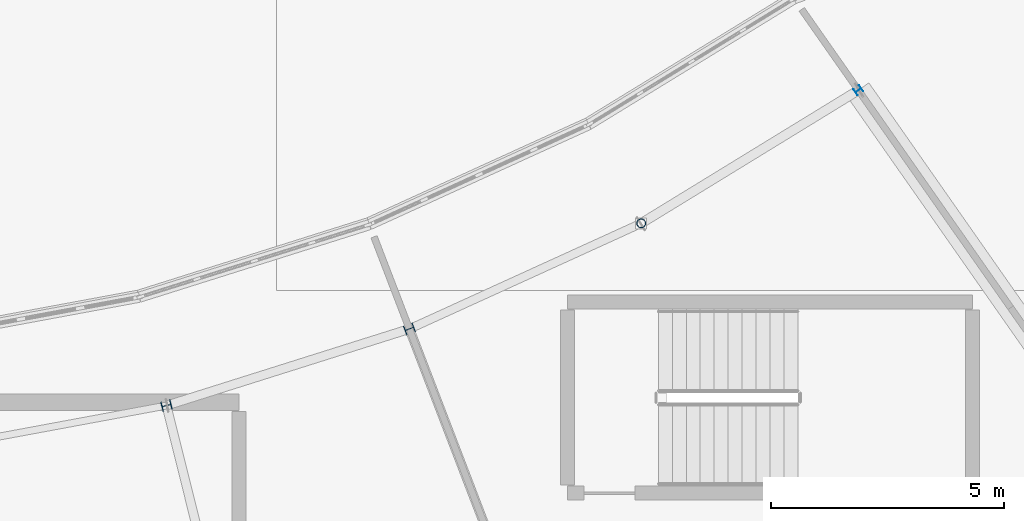
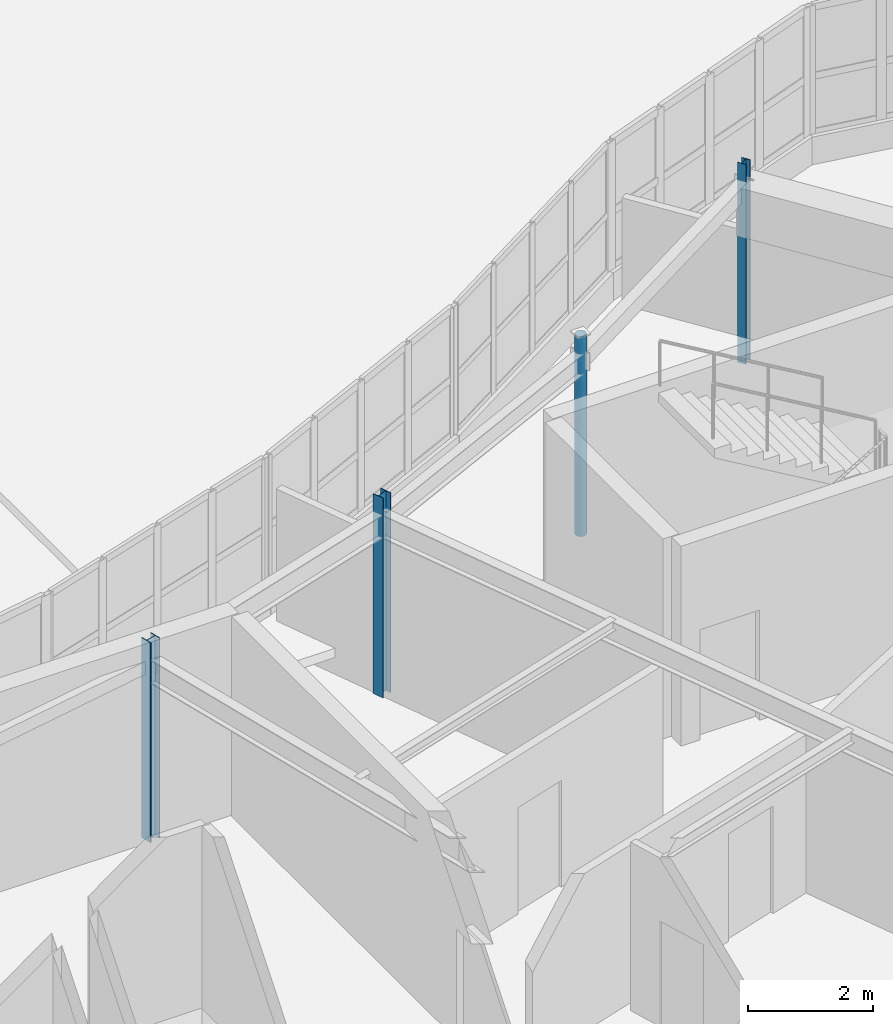
# One storey, part 7 of 128: 4 columns.
"""IFC4 building model written with IfcOpenShell, lengths in metres."""

import ifcopenshell
import ifcopenshell.guid

model = None  # the IFC model being written
_history = None  # IfcOwnerHistory: only IFC2X3 demands one
_inside = {}  # id of a spatial element -> (the spatial element, [elements in it])
_under = {}  # id of a project, library or spatial element -> (it, [spatial elements below it])
_declared = {}  # id of a project -> (the project, [libraries it declares])
_typed = {}  # id of a type object -> (the type object, [elements of that type])
_made_of = {}  # id of a material, layer set ... -> (it, [elements and type objects made of it])


def new_model(schema):
    """Start an empty IFC model of exactly this schema.

    Asked for "IFC4X3", IfcOpenShell would pick the latest addendum, in which some entities
    have other attributes; the version numbers below select the first issue.
    IFC2X3 requires an IfcOwnerHistory on every rooted entity: one is made here for all.
    """
    global model, _history
    if schema == "IFC4X3":
        model = ifcopenshell.file(schema_version=(4, 3, 0, 0))
    else:
        model = ifcopenshell.file(schema=schema)
    _inside.clear()
    _under.clear()
    _declared.clear()
    _typed.clear()
    _made_of.clear()
    _history = None
    if model.schema == "IFC2X3":
        org = make("IfcOrganization", Name="unknown")
        user = make(
            "IfcPersonAndOrganization",
            ThePerson=make("IfcPerson", FamilyName="unknown"),
            TheOrganization=org,
        )
        app = make(
            "IfcApplication",
            ApplicationDeveloper=org,
            Version="unknown",
            ApplicationFullName="unknown",
            ApplicationIdentifier="unknown",
        )
        _history = make(
            "IfcOwnerHistory",
            OwningUser=user,
            OwningApplication=app,
            ChangeAction="ADDED",
            CreationDate=0,
        )
    return model


def make(cls, **values):
    """One entity of the class cls with the attributes given. An attribute that is None is left unset."""
    return model.create_entity(
        cls, **{name: value for name, value in values.items() if value is not None}
    )


def rooted(cls, **values):
    """An entity with a GlobalId (a new one), such as an element, a storey or a relation."""
    return make(cls, GlobalId=ifcopenshell.guid.new(), OwnerHistory=_history, **values)


def si_unit(unit_type, name, prefix=None):
    """IfcSIUnit, for example si_unit("LENGTHUNIT", "METRE", prefix="MILLI")."""
    return make("IfcSIUnit", UnitType=unit_type, Prefix=prefix, Name=name)


def assignment(units):
    """IfcUnitAssignment: the units of a project."""
    return None if units is None else make("IfcUnitAssignment", Units=units)


def point(xyz):
    """IfcCartesianPoint."""
    return None if xyz is None else make("IfcCartesianPoint", Coordinates=xyz)


def direction(xyz):
    """IfcDirection."""
    return None if xyz is None else make("IfcDirection", DirectionRatios=xyz)


def frame(location, z_axis=None, x_axis=None):
    """IfcAxis2Placement3D, a coordinate frame: its origin and axes. An axis left out is left unset."""
    return make(
        "IfcAxis2Placement3D",
        Location=point(location),
        Axis=direction(z_axis),
        RefDirection=direction(x_axis),
    )


def frame_2d(location, x_axis=None):
    """IfcAxis2Placement2D, a coordinate frame in the plane: its origin and x axis."""
    return make(
        "IfcAxis2Placement2D", Location=point(location), RefDirection=direction(x_axis)
    )


def origin():
    """The frame at (0, 0, 0) with its axes left unset."""
    return frame((0.0, 0.0, 0.0))


def origin_2d():
    """The frame at (0, 0) in the plane with its x axis left unset."""
    return frame_2d((0.0, 0.0))


def place(relative_to, where):
    """IfcLocalPlacement: puts the frame where relative to a parent placement (None: the world)."""
    return make(
        "IfcLocalPlacement", PlacementRelTo=relative_to, RelativePlacement=where
    )


def context(
    kind, dimensions, precision=None, world=None, true_north=None, identifier=None
):
    """IfcGeometricRepresentationContext, for example the 3D "Model" context."""
    return make(
        "IfcGeometricRepresentationContext",
        ContextIdentifier=identifier,
        ContextType=kind,
        CoordinateSpaceDimension=dimensions,
        Precision=precision,
        WorldCoordinateSystem=world,
        TrueNorth=true_north,
    )


def subcontext(parent, identifier, kind, view, scale=None):
    """IfcGeometricRepresentationSubContext, for example "Body" below "Model"."""
    return make(
        "IfcGeometricRepresentationSubContext",
        ContextIdentifier=identifier,
        ContextType=kind,
        ParentContext=parent,
        TargetScale=scale,
        TargetView=view,
    )


def project(units=None, contexts=None):
    """IfcProject with its units and contexts."""
    return rooted(
        "IfcProject",
        Name="project",
        RepresentationContexts=contexts,
        UnitsInContext=assignment(units),
    )


def spatial(cls, under=None, at=None, **own):
    """A site, building, storey or space (cls), placed at a placement, below another one or the project."""
    s = rooted(cls, ObjectPlacement=at, **own)
    if under is not None:
        _under.setdefault(under.id(), (under, []))[1].append(s)
    return s


def profile(cls, at=None, kind="AREA", **sizes):
    """A parametric profile (cls). Its sizes go by their IFC names, for example OverallWidth=200.0."""
    return make(cls, ProfileType=kind, Position=at, **sizes)


def hollow_circle(**sizes):
    """IfcCircleHollowProfileDef."""
    return profile("IfcCircleHollowProfileDef", **sizes)


def i_section(**sizes):
    """IfcIShapeProfileDef."""
    return profile("IfcIShapeProfileDef", **sizes)


def extrude(swept, where, along, depth):
    """IfcExtrudedAreaSolid: the profile swept, set in the frame where, extruded along a direction by depth."""
    return make(
        "IfcExtrudedAreaSolid",
        SweptArea=swept,
        Position=where,
        ExtrudedDirection=direction(along),
        Depth=depth,
    )


def shape(context_of_items, identifier, shape_type, items):
    """IfcShapeRepresentation: the items that make up one representation, for example the "Body"."""
    return make(
        "IfcShapeRepresentation",
        ContextOfItems=context_of_items,
        RepresentationIdentifier=identifier,
        RepresentationType=shape_type,
        Items=items,
    )


def material(Name=None, Category=None):
    """IfcMaterial."""
    return make("IfcMaterial", Name=Name, Category=Category)


def material_profile(
    of_material, cross_section, Name=None, Category=None, Priority=None
):
    """IfcMaterialProfile: a cross section and its material."""
    return make(
        "IfcMaterialProfile",
        Name=Name,
        Material=of_material,
        Profile=cross_section,
        Priority=Priority,
        Category=Category,
    )


def profile_set(profiles, Name=None, composite=None):
    """IfcMaterialProfileSet."""
    return make(
        "IfcMaterialProfileSet",
        Name=Name,
        MaterialProfiles=profiles,
        CompositeProfile=composite,
    )


def made_of(thing, what):
    """Note that an element or type object is made of a material, layer set ...; save() writes the relation."""
    if what is not None:
        _made_of.setdefault(what.id(), (what, []))[1].append(thing)
    return thing


def type_object(cls, material=None, **own):
    """A type object (cls), such as IfcWallType, which elements share."""
    return made_of(rooted(cls, **own), material)


def element(
    cls,
    number,
    at=None,
    inside=None,
    cuts=None,
    type_object=None,
    material=None,
    context=None,
    identifier="Body",
    shape_type=None,
    held_by="IfcProductDefinitionShape",
    body=None,
    shapes=None,
    **own,
):
    """One element of the class cls, such as IfcWall. Its Tag is "e" and its number.

    at: its placement. inside: the storey or other place that contains it. cuts: it is an
    opening in that element (IfcRelVoidsElement). A single representation is given by context,
    identifier, shape_type and body (its items); several are given by shapes. held_by: the class
    of the entity that holds the representations. save() writes the other relations.
    """
    e = rooted(cls, Tag="e%d" % number, ObjectPlacement=at, **own)
    if body is not None:
        shapes = [shape(context, identifier, shape_type, body)]
    if shapes is not None:
        e.Representation = make(held_by, Representations=shapes)
    if inside is not None:
        _inside.setdefault(inside.id(), (inside, []))[1].append(e)
    if cuts is not None:
        rooted(
            "IfcRelVoidsElement", RelatingBuildingElement=cuts, RelatedOpeningElement=e
        )
    if type_object is not None:
        _typed.setdefault(type_object.id(), (type_object, []))[1].append(e)
    return made_of(e, material)


def aggregate(whole, parts):
    """IfcRelAggregates: a whole, such as a stair, and the parts it consists of."""
    return rooted("IfcRelAggregates", RelatingObject=whole, RelatedObjects=parts)


def save(model, path):
    """Write the relations noted so far, then the file.

    IfcRelAggregates (storeys below a building ...), IfcRelContainedInSpatialStructure (elements
    in a storey), IfcRelDefinesByType, IfcRelAssociatesMaterial and IfcRelDeclares: one each for
    every whole, place, type object, material and project.
    """
    for whole, parts in _under.values():
        aggregate(whole, parts)
    for where, things in _inside.values():
        rooted(
            "IfcRelContainedInSpatialStructure",
            RelatedElements=things,
            RelatingStructure=where,
        )
    for kind, things in _typed.values():
        rooted("IfcRelDefinesByType", RelatedObjects=things, RelatingType=kind)
    for what, things in _made_of.values():
        rooted("IfcRelAssociatesMaterial", RelatedObjects=things, RelatingMaterial=what)
    for by, libraries in _declared.values():
        rooted("IfcRelDeclares", RelatingContext=by, RelatedDefinitions=libraries)
    model.write(path)


model = new_model("IFC4")

# Units and contexts
model_context = context("Model", 3, precision=1e-05, world=origin(), true_north=direction((0.0, 1.0)))
body_context = subcontext(model_context, "Body", "Model", "MODEL_VIEW")
ifc_project = project(units=[si_unit("LENGTHUNIT", "METRE"), si_unit("AREAUNIT", "SQUARE_METRE"), si_unit("VOLUMEUNIT", "CUBIC_METRE"), si_unit("PLANEANGLEUNIT", "RADIAN"), si_unit("MASSUNIT", "GRAM", prefix="KILO")], contexts=[model_context])

# Site, building, storey
site_placement = place(None, origin())
site = spatial("IfcSite", under=ifc_project, at=site_placement, CompositionType="ELEMENT")
building_placement = place(site_placement, origin())
building = spatial("IfcBuilding", under=site, at=building_placement, Name="Tarnwether General Hospital", CompositionType="ELEMENT")
storey_placement = place(building_placement, frame((0.0, 0.0, 14.39990234375)))
storey = spatial("IfcBuildingStorey", under=building, at=storey_placement, Name="L03", CompositionType="ELEMENT", Elevation=14.39990234375)

# Columns
ifc_material_1 = material(Name="Steel Grade 350 (350 MPa)", Category="steel")
ifc_material_profile_1 = material_profile(ifc_material_1, i_section(OverallWidth=0.205078125, OverallDepth=0.2099609375, WebThickness=0.00927734375, FlangeThickness=0.01416015625, at=origin_2d()), Name="200UC59.5")
ifc_profile_set_1 = profile_set([ifc_material_profile_1], Name="Steel Grade 350 (350 MPa)")
column_type_1 = type_object("IfcColumnType", Name="COL-25", PredefinedType="COLUMN", material=ifc_profile_set_1)
column_1_placement = place(storey_placement, frame((102.837890625, 19.531005859375, 0.0), z_axis=(0.0, 0.0, 1.0), x_axis=(-0.2419218956, 0.970295726276, 0.0)))
element("IfcColumn", 1, at=column_1_placement, inside=storey, type_object=column_type_1, Name="Column COLG-L03-10284_1953", PredefinedType="COLUMN", context=body_context, shape_type="SweptSolid", body=[
    extrude(i_section(OverallWidth=0.205078125, OverallDepth=0.2099609375, WebThickness=0.00927734375, FlangeThickness=0.01416015625, at=origin_2d()), origin(), (0.0, 0.0, 1.0), 3.900146484375),
])
ifc_material_2 = material(Name="Steel Grade 350 (350 MPa)", Category="steel")
ifc_material_profile_2 = material_profile(ifc_material_2, i_section(OverallWidth=0.202880859375, OverallDepth=0.202880859375, WebThickness=0.00732421875, FlangeThickness=0.010986328125, at=origin_2d()), Name="200UC46.2")
ifc_profile_set_2 = profile_set([ifc_material_profile_2], Name="Steel Grade 350 (350 MPa)")
column_type_2 = type_object("IfcColumnType", Name="COL-27", PredefinedType="COLUMN", material=ifc_profile_set_2)
column_2_placement = place(storey_placement, frame((108.054931640625, 21.176025390625, 0.0), z_axis=(0.0, 0.0, 1.0), x_axis=(-0.358367949545, 0.933580426497, 0.0)))
element("IfcColumn", 2, at=column_2_placement, inside=storey, type_object=column_type_2, Name="Column COLG-L03-10806_2118", PredefinedType="COLUMN", context=body_context, shape_type="SweptSolid", body=[
    extrude(i_section(OverallWidth=0.202880859375, OverallDepth=0.202880859375, WebThickness=0.00732421875, FlangeThickness=0.010986328125, at=origin_2d()), origin(), (0.0, 0.0, 1.0), 3.900146484375),
])
ifc_material_3 = material(Name="Steel Grade C350L0 (350 MPa)", Category="steel")
ifc_material_profile_3 = material_profile(ifc_material_3, hollow_circle(Radius=0.096923828125, WallThickness=0.008056640625, at=origin_2d()), Name="CHS193.7x8.0")
ifc_profile_set_3 = profile_set([ifc_material_profile_3], Name="Steel Grade C350L0 (350 MPa)")
column_type_3 = type_object("IfcColumnType", Name="COL-29", PredefinedType="COLUMN", material=ifc_profile_set_3)
column_3_placement = place(storey_placement, frame((113.031982421875, 23.444091796875, 0.0), z_axis=(0.0, 0.0, 1.0), x_axis=(-0.469471562786, 0.882947592859, 0.0)))
element("IfcColumn", 3, at=column_3_placement, inside=storey, type_object=column_type_3, Name="Column COLG-L03-11303_2344", PredefinedType="COLUMN", context=body_context, shape_type="SweptSolid", body=[
    extrude(hollow_circle(Radius=0.096923828125, WallThickness=0.008056640625, at=origin_2d()), origin(), (0.0, 0.0, 1.0), 3.900146484375),
])
ifc_material_4 = material(Name="Steel Grade 350 (350 MPa)", Category="steel")
ifc_material_profile_4 = material_profile(ifc_material_4, i_section(OverallWidth=0.153076171875, OverallDepth=0.157958984375, WebThickness=0.006591796875, FlangeThickness=0.009521484375, at=origin_2d()), Name="150UC30.0")
ifc_profile_set_4 = profile_set([ifc_material_profile_4], Name="Steel Grade 350 (350 MPa)")
column_type_4 = type_object("IfcColumnType", Name="COL-31", PredefinedType="COLUMN", material=ifc_profile_set_4)
column_4_placement = place(storey_placement, frame((117.696044921875, 26.302001953125, 0.0), z_axis=(0.0, 0.0, 1.0), x_axis=(-0.573576436351, 0.819152044289, 0.0)))
element("IfcColumn", 4, at=column_4_placement, inside=storey, type_object=column_type_4, Name="Column COLG-L03-11770_2630", PredefinedType="COLUMN", context=body_context, shape_type="SweptSolid", body=[
    extrude(i_section(OverallWidth=0.153076171875, OverallDepth=0.157958984375, WebThickness=0.006591796875, FlangeThickness=0.009521484375, at=origin_2d()), origin(), (0.0, 0.0, 1.0), 3.900146484375),
])

save(model, "model.ifc")
